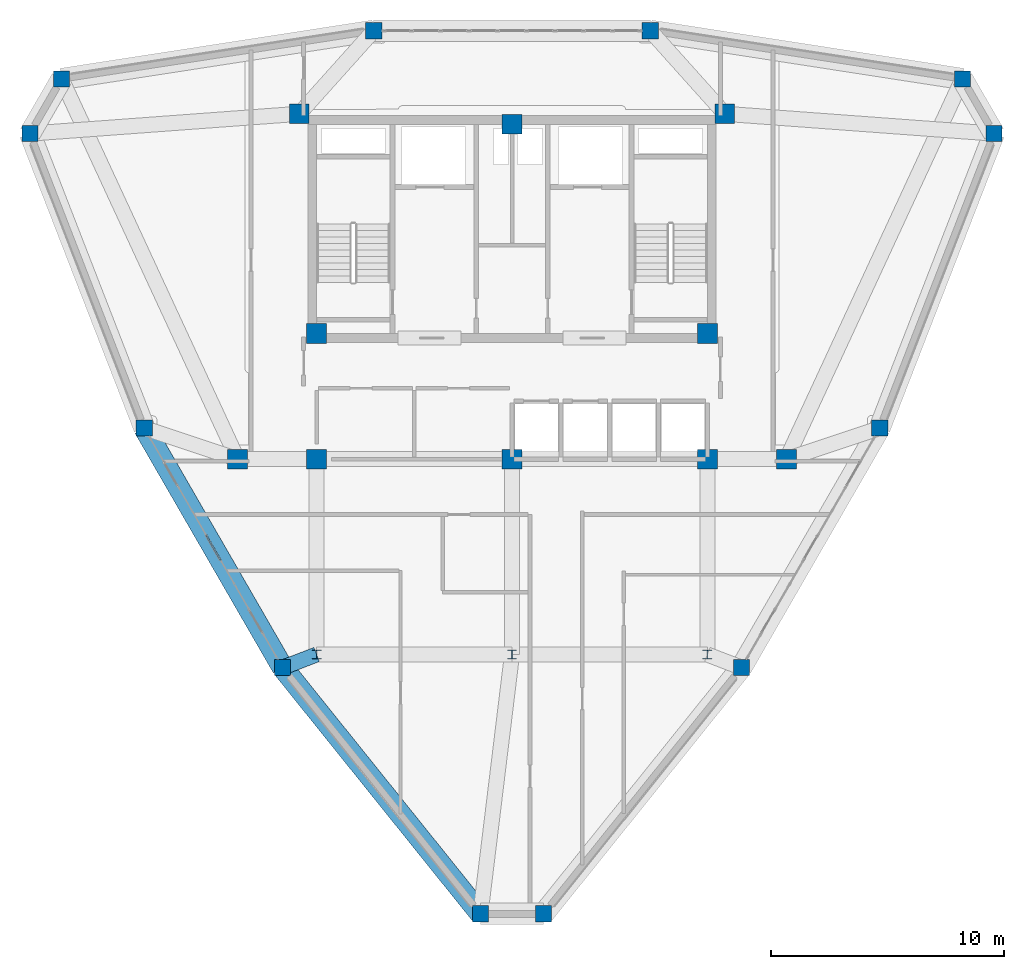
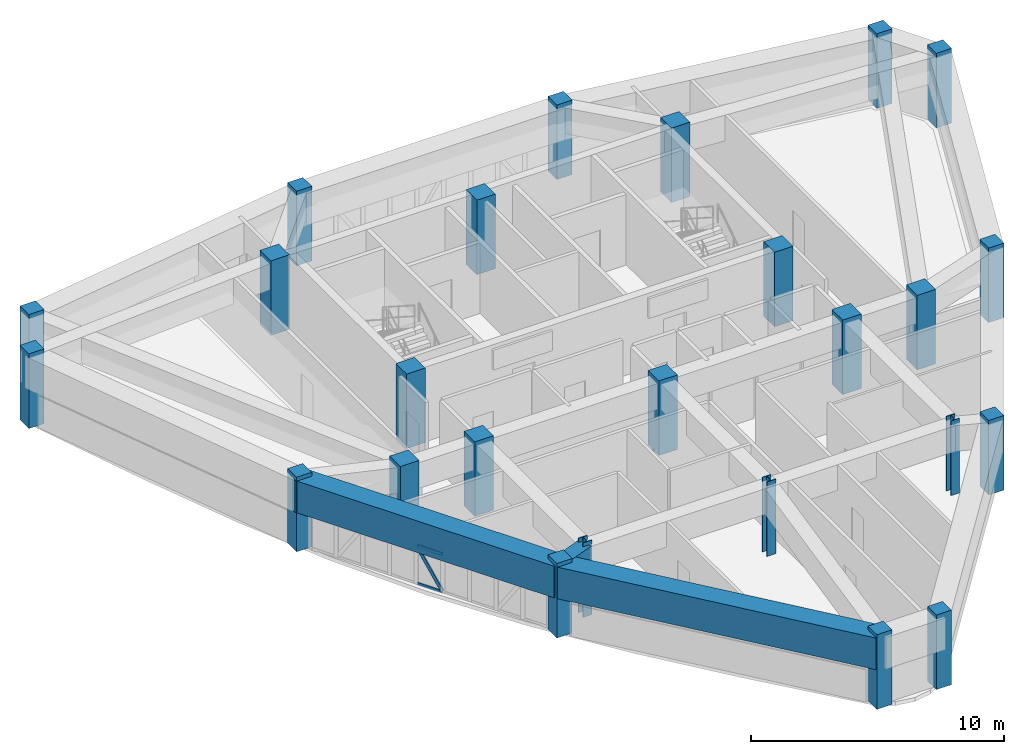
# One storey, part 1 of 14: 25 columns, 3 beams, 3 members, 1 element without a shape of its own.
"""IFC4 building model written with IfcOpenShell, lengths in metres."""

from ifc_helpers import new_model, si_unit, derived_unit, direction, frame, origin, origin_2d, place, context, subcontext, project, spatial, rectangle, hollow_rectangle, i_section, extrude, source, transform, mapped, material, layer, layer_set, material_profile, profile_set, type_object, element, aggregate, save


model = new_model("IFC4")

# Units and contexts
model_context = context("Model", 3, precision=1e-05, world=origin(), true_north=direction((0.0, 1.0)))
body_context = subcontext(model_context, "Body", "Model", "MODEL_VIEW")
ifc_project = project(units=[si_unit("LENGTHUNIT", "METRE"), si_unit("AREAUNIT", "SQUARE_METRE"), si_unit("VOLUMEUNIT", "CUBIC_METRE"), si_unit("PLANEANGLEUNIT", "RADIAN"), si_unit("MASSUNIT", "GRAM", prefix="KILO"), derived_unit("THERMALTRANSMITTANCEUNIT", [(si_unit("POWERUNIT", "WATT"), 1), (si_unit("LENGTHUNIT", "METRE"), -2), (si_unit("THERMODYNAMICTEMPERATUREUNIT", "KELVIN"), -1)])], contexts=[model_context])

# Site, building, storey
site_placement = place(None, origin())
site = spatial("IfcSite", under=ifc_project, at=site_placement, CompositionType="ELEMENT")
building_placement = place(site_placement, origin())
building = spatial("IfcBuilding", under=site, at=building_placement, Name="Korsvarv Bourse and Concert Hall", CompositionType="ELEMENT")
storey_placement = place(building_placement, frame((0.0, 0.0, 253.800048828125)))
storey = spatial("IfcBuildingStorey", under=building, at=storey_placement, Name="L66", CompositionType="ELEMENT", Elevation=253.800048828125)

# Columns
ifc_material_1 = material(Name="Concrete C50/60", Category="concrete")
ifc_material_profile_1 = material_profile(ifc_material_1, rectangle(XDim=0.85009765625, YDim=0.85009765625, at=origin_2d()), Name="RC 850x850")
ifc_profile_set_1 = profile_set([ifc_material_profile_1], Name="Concrete C50/60")
column_type_1 = type_object("IfcColumnType", Name="COL-RC850", PredefinedType="COLUMN", material=ifc_profile_set_1)
shared_shape_1 = source(origin(), body_context, "Body", "SweptSolid", [
    extrude(rectangle(XDim=0.85009765625, YDim=0.85009765625, at=origin_2d()), origin(), (0.0, 0.0, 1.0), 3.599853515625),
])
for number, where, z_axis, x_axis, name in (
    (1, (26.85009765625, 47.25, 0.0), (0.0, 0.0, 1.0), (1.0, 0.0, 0.0), "L66 column C-04"),
    (2, (45.14990234375, 47.25, 0.0), (0.0, 0.0, 1.0), (1.0, 0.0, 0.0), "L66 column C-04"),
    (3, (27.60009765625, 37.800048828125, 0.0), (0.0, 0.0, 1.0), (1.0, 0.0, 0.0), "L66 column C-04"),
    (4, (44.39990234375, 37.800048828125, 0.0), (0.0, 0.0, 1.0), (1.0, 0.0, 0.0), "L66 column C-04"),
    (5, (27.60009765625, 32.39990234375, 0.0), (0.0, 0.0, 1.0), (1.0, 0.0, 0.0), "L66 column C-04"),
    (6, (44.39990234375, 32.39990234375, 0.0), (0.0, 0.0, 1.0), (1.0, 0.0, 0.0), "L66 column C-04"),
    (7, (36.0, 46.800048828125, 0.0), (0.0, 0.0, 1.0), (1.0, 0.0, 0.0), "L66 column C-04"),
    (8, (36.0, 32.39990234375, 0.0), (0.0, 0.0, 1.0), (1.0, 0.0, 0.0), "L66 column C-04"),
    (9, (24.199951171875, 32.39990234375, 0.0), (0.0, 0.0, 1.0), (1.0, 0.0, 0.0), "L66 column C-04"),
    (10, (47.800048828125, 32.39990234375, 0.0), (0.0, 0.0, 1.0), (1.0, 0.0, 0.0), "L66 column C-04"),
):
    element("IfcColumn", number, at=place(storey_placement, frame(where, z_axis=z_axis, x_axis=x_axis)), inside=storey, type_object=column_type_1, Name=name, PredefinedType="COLUMN", context=body_context, shape_type="MappedRepresentation", body=[
        mapped(shared_shape_1, transform((0.0, 0.0, 0.0), scale=1.0)),
    ])
ifc_material_2 = material(Name="Steel S355", Category="steel")
ifc_material_profile_2 = material_profile(ifc_material_2, i_section(OverallWidth=0.40087890625, OverallDepth=0.39892578125, WebThickness=0.0224609375, FlangeThickness=0.035888671875, FilletRadius=0.014892578125, at=origin_2d()), Name="HD 400x314")
ifc_profile_set_2 = profile_set([ifc_material_profile_2], Name="Steel S355")
column_type_2 = type_object("IfcColumnType", Name="COL-HD314", PredefinedType="COLUMN", material=ifc_profile_set_2)
shared_shape_2 = source(origin(), body_context, "Body", "SweptSolid", [
    extrude(i_section(OverallWidth=0.40087890625, OverallDepth=0.39892578125, WebThickness=0.0224609375, FlangeThickness=0.035888671875, FilletRadius=0.014892578125, at=origin_2d()), origin(), (0.0, 0.0, 1.0), 3.599853515625),
])
for number, where, z_axis, x_axis, name in (
    (11, (27.60009765625, 24.0, 0.0), (0.0, 0.0, 1.0), (1.0, 0.0, 0.0), "L66 column C-11"),
    (12, (44.39990234375, 24.0, 0.0), (0.0, 0.0, 1.0), (1.0, 0.0, 0.0), "L66 column C-11"),
    (13, (36.0, 24.0, 0.0), (0.0, 0.0, 1.0), (1.0, 0.0, 0.0), "L66 column C-11"),
):
    element("IfcColumn", number, at=place(storey_placement, frame(where, z_axis=z_axis, x_axis=x_axis)), inside=storey, type_object=column_type_2, Name=name, PredefinedType="COLUMN", context=body_context, shape_type="MappedRepresentation", body=[
        mapped(shared_shape_2, transform((0.0, 0.0, 0.0), scale=1.0)),
    ])
ifc_material_profile_3 = material_profile(ifc_material_1, rectangle(XDim=0.699951171875, YDim=0.699951171875, at=origin_2d()), Name="RC 700x700")
ifc_profile_set_3 = profile_set([ifc_material_profile_3], Name="Concrete C50/60")
column_type_3 = type_object("IfcColumnType", Name="COL-RC700", PredefinedType="COLUMN", material=ifc_profile_set_3)
shared_shape_3 = source(origin(), body_context, "Body", "SweptSolid", [
    extrude(rectangle(XDim=0.699951171875, YDim=0.699951171875, at=origin_2d()), origin(), (0.0, 0.0, 1.0), 3.599853515625),
])
for number, where, z_axis, x_axis, name in (
    (14, (56.72509765625, 46.399169921875, 0.0), (0.0, 0.0, 1.0), (1.0, 0.0, 0.0), "L66 column C-05"),
    (15, (55.368408203125, 48.7490234375, 0.0), (0.0, 0.0, 1.0), (1.0, 0.0, 0.0), "L66 column C-05"),
    (16, (41.94580078125, 50.82275390625, 0.0), (0.0, 0.0, 1.0), (1.0, 0.0, 0.0), "L66 column C-05"),
    (17, (30.05419921875, 50.82275390625, 0.0), (0.0, 0.0, 1.0), (1.0, 0.0, 0.0), "L66 column C-05"),
    (18, (16.631591796875, 48.7490234375, 0.0), (0.0, 0.0, 1.0), (1.0, 0.0, 0.0), "L66 column C-05"),
    (19, (15.27490234375, 46.399169921875, 0.0), (0.0, 0.0, 1.0), (1.0, 0.0, 0.0), "L66 column C-05"),
    (20, (20.190185546875, 33.73779296875, 0.0), (0.0, 0.0, 1.0), (1.0, 0.0, 0.0), "L66 column C-05"),
    (21, (26.135986328125, 23.439453125, 0.0), (0.0, 0.0, 1.0), (1.0, 0.0, 0.0), "L66 column C-05"),
    (22, (34.643310546875, 12.851806640625, 0.0), (0.0, 0.0, 1.0), (1.0, 0.0, 0.0), "L66 column C-05"),
    (23, (37.356689453125, 12.851806640625, 0.0), (0.0, 0.0, 1.0), (1.0, 0.0, 0.0), "L66 column C-05"),
    (24, (45.864013671875, 23.439453125, 0.0), (0.0, 0.0, 1.0), (1.0, 0.0, 0.0), "L66 column C-05"),
    (25, (51.809814453125, 33.73779296875, 0.0), (0.0, 0.0, 1.0), (1.0, 0.0, 0.0), "L66 column C-05"),
):
    element("IfcColumn", number, at=place(storey_placement, frame(where, z_axis=z_axis, x_axis=x_axis)), inside=storey, type_object=column_type_3, Name=name, PredefinedType="COLUMN", context=body_context, shape_type="MappedRepresentation", body=[
        mapped(shared_shape_3, transform((0.0, 0.0, 0.0), scale=1.0)),
    ])

# Beams
ifc_material_profile_4 = material_profile(ifc_material_1, rectangle(XDim=0.919921875, YDim=1.530029296875, at=origin_2d()), Name="RC-BM 920x1530")
ifc_profile_set_4 = profile_set([ifc_material_profile_4], Name="Concrete C50/60")
beam_type_1 = type_object("IfcBeamType", Name="BM-TR-154", PredefinedType="BEAM", material=ifc_profile_set_4)
shared_shape_4 = source(origin(), body_context, "Body", "SweptSolid", [
    extrude(rectangle(XDim=0.919921875, YDim=1.530029296875, at=origin_2d()), origin(), (0.0, 0.0, 1.0), 11.8916015625),
])
beam_1_placement = place(storey_placement, frame((20.190185546875, 33.73779296875, 2.64501953125), z_axis=(0.500003248124, -0.866023528471, 0.0), x_axis=(0.866023528471, 0.500003248124, 0.0)))
element("IfcBeam", 26, at=beam_1_placement, inside=storey, type_object=beam_type_1, Name="L66 beam B-TR6", PredefinedType="BEAM", context=body_context, shape_type="MappedRepresentation", body=[
    mapped(shared_shape_4, transform((0.0, 0.0, 0.0), scale=1.0)),
])
shared_shape_5 = source(origin(), body_context, "Body", "SweptSolid", [
    extrude(rectangle(XDim=0.919921875, YDim=1.530029296875, at=origin_2d()), origin(), (0.0, 0.0, 1.0), 13.58203125),
])
beam_2_placement = place(storey_placement, frame((26.135986328125, 23.439453125, 2.64501953125), z_axis=(0.626363997107, -0.779530719811, 0.0), x_axis=(0.779530719811, 0.626363997107, 0.0)))
element("IfcBeam", 27, at=beam_2_placement, inside=storey, type_object=beam_type_1, Name="L66 beam B-TR6", PredefinedType="BEAM", context=body_context, shape_type="MappedRepresentation", body=[
    mapped(shared_shape_5, transform((0.0, 0.0, 0.0), scale=1.0)),
])
ifc_material_profile_5 = material_profile(ifc_material_1, rectangle(XDim=0.64990234375, YDim=1.239990234375, at=origin_2d()), Name="RC-BM 650x1240")
ifc_profile_set_5 = profile_set([ifc_material_profile_5], Name="Concrete C50/60")
beam_type_2 = type_object("IfcBeamType", Name="BM-TR-SPN", PredefinedType="BEAM", material=ifc_profile_set_5)
shared_shape_6 = source(origin(), body_context, "Body", "SweptSolid", [
    extrude(rectangle(XDim=0.64990234375, YDim=1.239990234375, at=origin_2d()), origin(), (0.0, 0.0, 1.0), 1.567626953125),
])
beam_3_placement = place(storey_placement, frame((26.135986328125, 23.439453125, 2.7900390625), z_axis=(0.933894371826, 0.357549020796, 0.0), x_axis=(-0.357549020796, 0.933894371826, 0.0)))
element("IfcBeam", 28, at=beam_3_placement, inside=storey, type_object=beam_type_2, Name="L66 beam B-TRS", PredefinedType="BEAM", context=body_context, shape_type="MappedRepresentation", body=[
    mapped(shared_shape_6, transform((0.0, 0.0, 0.0), scale=1.0)),
])

# Curtain wall, members
ifc_material_3 = material(Name="Anodised aluminium and triple low-E glazing", Category="glass")
ifc_layer = layer(ifc_material_3, 0.199951171875)
ifc_layer_set = layer_set([ifc_layer], Name="Anodised aluminium and triple low-E glazing")
curtain_wall_type = type_object("IfcCurtainWallType", Name="CW-SYS-3", PredefinedType="NOTDEFINED", material=ifc_layer_set)
curtain_wall_placement = place(storey_placement, origin())
curtain_wall = element("IfcCurtainWall", 29, at=curtain_wall_placement, inside=storey, type_object=curtain_wall_type, Name="L66 CW3 curtain wall CW-L66-F07", PredefinedType="NOTDEFINED")
ifc_material_4 = material(Name="Extruded aluminium EN AW-6063 T66", Category="aluminium")
ifc_material_profile_6 = material_profile(ifc_material_4, hollow_rectangle(XDim=0.06494140625, YDim=0.139892578125, WallThickness=0.00390625, at=origin_2d()), Name="ALU-T 65x140")
ifc_profile_set_6 = profile_set([ifc_material_profile_6], Name="Extruded aluminium EN AW-6063 T66")
member_type_1 = type_object("IfcMemberType", Name="CWT-140", PredefinedType="USERDEFINED", material=ifc_profile_set_6)
shared_shape_7 = source(origin(), body_context, "Body", "SweptSolid", [
    extrude(hollow_rectangle(XDim=0.06494140625, YDim=0.139892578125, WallThickness=0.00390625, at=origin_2d()), origin(), (0.0, 0.0, 1.0), 1.1484375),
])
member_1_placement = place(storey_placement, frame((22.8759765625, 29.0859375, 0.032470703125), z_axis=(0.499980071345, -0.866036909293, 0.0), x_axis=(0.866036909293, 0.499980071345, 0.0)))
member_1 = element("IfcMember", 30, at=member_1_placement, type_object=member_type_1, Name="CW3 transom 5.1", ObjectType="TRANSOM", PredefinedType="USERDEFINED", context=body_context, shape_type="MappedRepresentation", body=[
    mapped(shared_shape_7, transform((0.0, 0.0, 0.0), scale=1.0)),
])
member_2_placement = place(storey_placement, frame((22.8759765625, 29.0859375, 1.847412109375), z_axis=(0.499980071345, -0.866036909293, 0.0), x_axis=(0.866036909293, 0.499980071345, 0.0)))
member_2 = element("IfcMember", 31, at=member_2_placement, type_object=member_type_1, Name="CW3 transom 5.2", ObjectType="TRANSOM", PredefinedType="USERDEFINED", context=body_context, shape_type="MappedRepresentation", body=[
    mapped(shared_shape_7, transform((0.0, 0.0, 0.0), scale=1.0)),
])
ifc_material_profile_7 = material_profile(ifc_material_4, hollow_rectangle(XDim=0.06494140625, YDim=0.1650390625, WallThickness=0.0048828125, at=origin_2d()), Name="ALU-M 65x165")
ifc_profile_set_7 = profile_set([ifc_material_profile_7], Name="Extruded aluminium EN AW-6063 T66")
member_type_2 = type_object("IfcMemberType", Name="CWM-165", PredefinedType="MULLION", material=ifc_profile_set_7)
shared_shape_8 = source(origin(), body_context, "Body", "SweptSolid", [
    extrude(hollow_rectangle(XDim=0.06494140625, YDim=0.1650390625, WallThickness=0.0048828125, at=origin_2d()), origin(), (0.0, 0.0, 1.0), 2.09326171875),
])
member_3_placement = place(storey_placement, frame((23.4501953125, 28.09130859375, 0.06494140625), z_axis=(-0.274324929215, 0.475169966676, 0.836037879513), x_axis=(-0.866036909293, -0.499980071345, 0.0)))
member_3 = element("IfcMember", 32, at=member_3_placement, type_object=member_type_2, Name="CW3 diagonal mullion 5", PredefinedType="MULLION", context=body_context, shape_type="MappedRepresentation", body=[
    mapped(shared_shape_8, transform((0.0, 0.0, 0.0), scale=1.0)),
])
aggregate(curtain_wall, [member_1, member_2, member_3])

save(model, "model.ifc")
